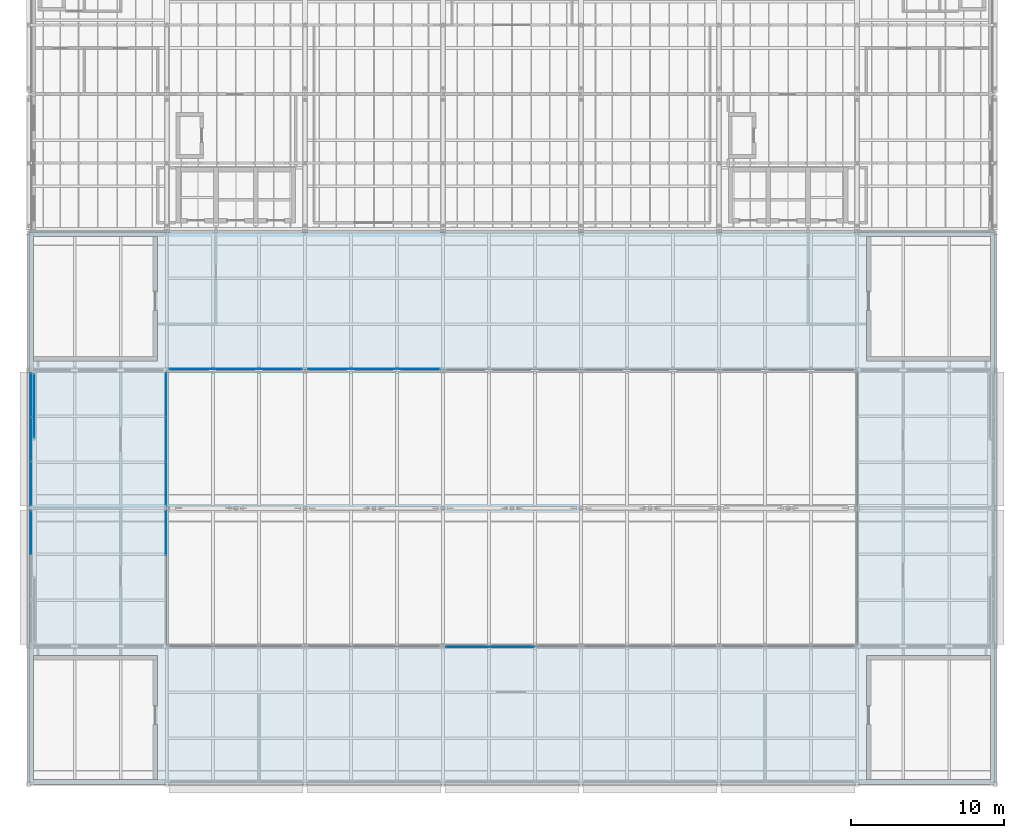
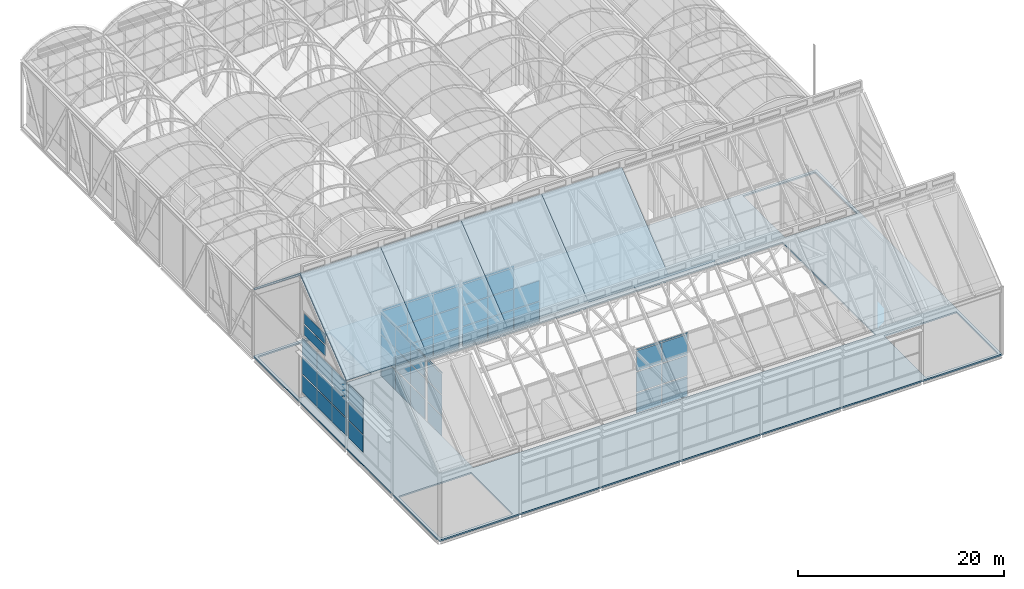
# One storey, part 118 of 144: 60 plates, 9 slabs, 8 elements without a shape of their own.
"""IFC4 building model written with IfcOpenShell, lengths in metres."""

from ifc_helpers import new_model, si_unit, direction, frame, origin, origin_2d, place, context, subcontext, project, spatial, polyline, rectangle, outline, extrude, material, layer, layer_set, type_object, element, aggregate, save


model = new_model("IFC4")

# Units and contexts
model_context = context("Model", 3, precision=1e-05, world=origin(), true_north=direction((0.0, 1.0)))
body_context = subcontext(model_context, "Body", "Model", "MODEL_VIEW")
ifc_project = project(units=[si_unit("LENGTHUNIT", "METRE"), si_unit("AREAUNIT", "SQUARE_METRE"), si_unit("VOLUMEUNIT", "CUBIC_METRE"), si_unit("PLANEANGLEUNIT", "RADIAN"), si_unit("MASSUNIT", "GRAM", prefix="KILO")], contexts=[model_context])

# Site, building, storey
site_placement = place(None, origin())
site = spatial("IfcSite", under=ifc_project, at=site_placement, CompositionType="ELEMENT")
building_placement = place(site_placement, origin())
building = spatial("IfcBuilding", under=site, at=building_placement, Name="Shorebreak Coast Museum", CompositionType="ELEMENT")
storey_placement = place(building_placement, frame((0.0, 0.0, 36.0)))
storey = spatial("IfcBuildingStorey", under=building, at=storey_placement, Name="L06", CompositionType="ELEMENT", Elevation=36.0)

# Curtain wall, plates
ifc_material_1 = material(Name="Aluminium", Category="aluminium")
ifc_layer_1 = layer(ifc_material_1, 0.1201171875)
ifc_layer_set_1 = layer_set([ifc_layer_1], Name="Aluminium")
curtain_wall_type_1 = type_object("IfcCurtainWallType", Name="Atrium fire screen", PredefinedType="NOTDEFINED", material=ifc_layer_set_1)
curtain_wall_1_placement = place(storey_placement, origin())
curtain_wall_1 = element("IfcCurtainWall", 1, at=curtain_wall_1_placement, inside=storey, type_object=curtain_wall_type_1, Name="Atrium screen L06 S 81", PredefinedType="NOTDEFINED")
ifc_material_2 = material(Name="Glass", Category="glass")
ifc_layer_2 = layer(ifc_material_2, 0.034912109375)
ifc_layer_set_2 = layer_set([ifc_layer_2], Name="Glass")
plate_type_1 = type_object("IfcPlateType", Name="Fire-resisting glass panel 35", PredefinedType="CURTAIN_PANEL", material=ifc_layer_set_2)
plate_1_placement = place(storey_placement, frame((82.61474609375, 62.93994140625, 0.1201171875), z_axis=(0.0, 0.0, 1.0), x_axis=(1.0, 0.0, 0.0)))
plate_1 = element("IfcPlate", 2, at=plate_1_placement, type_object=plate_type_1, Name="CW4 panel 1.1", PredefinedType="CURTAIN_PANEL", context=body_context, shape_type="SweptSolid", body=[
    extrude(rectangle(XDim=2.82275390625, YDim=0.034912109375, at=origin_2d()), origin(), (0.0, 0.0, 1.0), 2.320068359375),
])
plate_2_placement = place(storey_placement, frame((82.61474609375, 62.93994140625, 2.56005859375), z_axis=(0.0, 0.0, 1.0), x_axis=(1.0, 0.0, 0.0)))
plate_2 = element("IfcPlate", 3, at=plate_2_placement, type_object=plate_type_1, Name="CW4 panel 1.2", PredefinedType="CURTAIN_PANEL", context=body_context, shape_type="SweptSolid", body=[
    extrude(rectangle(XDim=2.82275390625, YDim=0.034912109375, at=origin_2d()), origin(), (0.0, 0.0, 1.0), 2.3798828125),
])
plate_3_placement = place(storey_placement, frame((82.61474609375, 62.93994140625, 5.06005859375), z_axis=(0.0, 0.0, 1.0), x_axis=(1.0, 0.0, 0.0)))
plate_3 = element("IfcPlate", 4, at=plate_3_placement, type_object=plate_type_1, Name="CW4 panel 1.3", PredefinedType="CURTAIN_PANEL", context=body_context, shape_type="SweptSolid", body=[
    extrude(rectangle(XDim=2.82275390625, YDim=0.034912109375, at=origin_2d()), origin(), (0.0, 0.0, 1.0), 2.3798828125),
])
plate_4_placement = place(storey_placement, frame((82.61474609375, 62.93994140625, 7.56005859375), z_axis=(0.0, 0.0, 1.0), x_axis=(1.0, 0.0, 0.0)))
plate_4 = element("IfcPlate", 5, at=plate_4_placement, type_object=plate_type_1, Name="CW4 panel 1.4", PredefinedType="CURTAIN_PANEL", context=body_context, shape_type="SweptSolid", body=[
    extrude(rectangle(XDim=2.82275390625, YDim=0.034912109375, at=origin_2d()), origin(), (0.0, 0.0, 1.0), 0.1201171875),
])
plate_5_placement = place(storey_placement, frame((85.5, 62.93994140625, 0.1201171875), z_axis=(0.0, 0.0, 1.0), x_axis=(1.0, 0.0, 0.0)))
plate_5 = element("IfcPlate", 6, at=plate_5_placement, type_object=plate_type_1, Name="CW4 panel 2.1", PredefinedType="CURTAIN_PANEL", context=body_context, shape_type="SweptSolid", body=[
    extrude(rectangle(XDim=2.84765625, YDim=0.034912109375, at=origin_2d()), origin(), (0.0, 0.0, 1.0), 2.320068359375),
])
plate_6_placement = place(storey_placement, frame((85.5, 62.93994140625, 2.56005859375), z_axis=(0.0, 0.0, 1.0), x_axis=(1.0, 0.0, 0.0)))
plate_6 = element("IfcPlate", 7, at=plate_6_placement, type_object=plate_type_1, Name="CW4 panel 2.2", PredefinedType="CURTAIN_PANEL", context=body_context, shape_type="SweptSolid", body=[
    extrude(rectangle(XDim=2.84765625, YDim=0.034912109375, at=origin_2d()), origin(), (0.0, 0.0, 1.0), 2.3798828125),
])
plate_7_placement = place(storey_placement, frame((85.5, 62.93994140625, 5.06005859375), z_axis=(0.0, 0.0, 1.0), x_axis=(1.0, 0.0, 0.0)))
plate_7 = element("IfcPlate", 8, at=plate_7_placement, type_object=plate_type_1, Name="CW4 panel 2.3", PredefinedType="CURTAIN_PANEL", context=body_context, shape_type="SweptSolid", body=[
    extrude(rectangle(XDim=2.84765625, YDim=0.034912109375, at=origin_2d()), origin(), (0.0, 0.0, 1.0), 2.3798828125),
])
plate_8_placement = place(storey_placement, frame((85.5, 62.93994140625, 7.56005859375), z_axis=(0.0, 0.0, 1.0), x_axis=(1.0, 0.0, 0.0)))
plate_8 = element("IfcPlate", 9, at=plate_8_placement, type_object=plate_type_1, Name="CW4 panel 2.4", PredefinedType="CURTAIN_PANEL", context=body_context, shape_type="SweptSolid", body=[
    extrude(rectangle(XDim=2.84765625, YDim=0.034912109375, at=origin_2d()), origin(), (0.0, 0.0, 1.0), 0.1201171875),
])
aggregate(curtain_wall_1, [plate_1, plate_2, plate_3, plate_4, plate_5, plate_6, plate_7, plate_8])

curtain_wall_2_placement = place(storey_placement, origin())
curtain_wall_2 = element("IfcCurtainWall", 10, at=curtain_wall_2_placement, inside=storey, type_object=curtain_wall_type_1, Name="Atrium screen L06 N 84", PredefinedType="NOTDEFINED")
plate_9_placement = place(storey_placement, frame((64.61474609375, 81.06005859375, 0.1201171875), z_axis=(0.0, 0.0, 1.0), x_axis=(1.0, 0.0, 0.0)))
plate_9 = element("IfcPlate", 11, at=plate_9_placement, type_object=plate_type_1, Name="CW4 panel 1.1", PredefinedType="CURTAIN_PANEL", context=body_context, shape_type="SweptSolid", body=[
    extrude(rectangle(XDim=2.82275390625, YDim=0.034912109375, at=origin_2d()), origin(), (0.0, 0.0, 1.0), 2.320068359375),
])
plate_10_placement = place(storey_placement, frame((64.61474609375, 81.06005859375, 2.56005859375), z_axis=(0.0, 0.0, 1.0), x_axis=(1.0, 0.0, 0.0)))
plate_10 = element("IfcPlate", 12, at=plate_10_placement, type_object=plate_type_1, Name="CW4 panel 1.2", PredefinedType="CURTAIN_PANEL", context=body_context, shape_type="SweptSolid", body=[
    extrude(rectangle(XDim=2.82275390625, YDim=0.034912109375, at=origin_2d()), origin(), (0.0, 0.0, 1.0), 2.3798828125),
])
plate_11_placement = place(storey_placement, frame((64.61474609375, 81.06005859375, 5.06005859375), z_axis=(0.0, 0.0, 1.0), x_axis=(1.0, 0.0, 0.0)))
plate_11 = element("IfcPlate", 13, at=plate_11_placement, type_object=plate_type_1, Name="CW4 panel 1.3", PredefinedType="CURTAIN_PANEL", context=body_context, shape_type="SweptSolid", body=[
    extrude(rectangle(XDim=2.82275390625, YDim=0.034912109375, at=origin_2d()), origin(), (0.0, 0.0, 1.0), 2.3798828125),
])
plate_12_placement = place(storey_placement, frame((64.61474609375, 81.06005859375, 7.56005859375), z_axis=(0.0, 0.0, 1.0), x_axis=(1.0, 0.0, 0.0)))
plate_12 = element("IfcPlate", 14, at=plate_12_placement, type_object=plate_type_1, Name="CW4 panel 1.4", PredefinedType="CURTAIN_PANEL", context=body_context, shape_type="SweptSolid", body=[
    extrude(rectangle(XDim=2.82275390625, YDim=0.034912109375, at=origin_2d()), origin(), (0.0, 0.0, 1.0), 0.1201171875),
])
plate_13_placement = place(storey_placement, frame((67.5, 81.06005859375, 0.1201171875), z_axis=(0.0, 0.0, 1.0), x_axis=(1.0, 0.0, 0.0)))
plate_13 = element("IfcPlate", 15, at=plate_13_placement, type_object=plate_type_1, Name="CW4 panel 2.1", PredefinedType="CURTAIN_PANEL", context=body_context, shape_type="SweptSolid", body=[
    extrude(rectangle(XDim=2.84765625, YDim=0.034912109375, at=origin_2d()), origin(), (0.0, 0.0, 1.0), 2.320068359375),
])
plate_14_placement = place(storey_placement, frame((67.5, 81.06005859375, 2.56005859375), z_axis=(0.0, 0.0, 1.0), x_axis=(1.0, 0.0, 0.0)))
plate_14 = element("IfcPlate", 16, at=plate_14_placement, type_object=plate_type_1, Name="CW4 panel 2.2", PredefinedType="CURTAIN_PANEL", context=body_context, shape_type="SweptSolid", body=[
    extrude(rectangle(XDim=2.84765625, YDim=0.034912109375, at=origin_2d()), origin(), (0.0, 0.0, 1.0), 2.3798828125),
])
plate_15_placement = place(storey_placement, frame((67.5, 81.06005859375, 5.06005859375), z_axis=(0.0, 0.0, 1.0), x_axis=(1.0, 0.0, 0.0)))
plate_15 = element("IfcPlate", 17, at=plate_15_placement, type_object=plate_type_1, Name="CW4 panel 2.3", PredefinedType="CURTAIN_PANEL", context=body_context, shape_type="SweptSolid", body=[
    extrude(rectangle(XDim=2.84765625, YDim=0.034912109375, at=origin_2d()), origin(), (0.0, 0.0, 1.0), 2.3798828125),
])
plate_16_placement = place(storey_placement, frame((67.5, 81.06005859375, 7.56005859375), z_axis=(0.0, 0.0, 1.0), x_axis=(1.0, 0.0, 0.0)))
plate_16 = element("IfcPlate", 18, at=plate_16_placement, type_object=plate_type_1, Name="CW4 panel 2.4", PredefinedType="CURTAIN_PANEL", context=body_context, shape_type="SweptSolid", body=[
    extrude(rectangle(XDim=2.84765625, YDim=0.034912109375, at=origin_2d()), origin(), (0.0, 0.0, 1.0), 0.1201171875),
])
plate_17_placement = place(storey_placement, frame((70.38525390625, 81.06005859375, 0.1201171875), z_axis=(0.0, 0.0, 1.0), x_axis=(1.0, 0.0, 0.0)))
plate_17 = element("IfcPlate", 19, at=plate_17_placement, type_object=plate_type_1, Name="CW4 panel 3.1", PredefinedType="CURTAIN_PANEL", context=body_context, shape_type="SweptSolid", body=[
    extrude(rectangle(XDim=2.82275390625, YDim=0.034912109375, at=origin_2d()), origin(), (0.0, 0.0, 1.0), 2.320068359375),
])
plate_18_placement = place(storey_placement, frame((70.38525390625, 81.06005859375, 2.56005859375), z_axis=(0.0, 0.0, 1.0), x_axis=(1.0, 0.0, 0.0)))
plate_18 = element("IfcPlate", 20, at=plate_18_placement, type_object=plate_type_1, Name="CW4 panel 3.2", PredefinedType="CURTAIN_PANEL", context=body_context, shape_type="SweptSolid", body=[
    extrude(rectangle(XDim=2.82275390625, YDim=0.034912109375, at=origin_2d()), origin(), (0.0, 0.0, 1.0), 2.3798828125),
])
plate_19_placement = place(storey_placement, frame((70.38525390625, 81.06005859375, 5.06005859375), z_axis=(0.0, 0.0, 1.0), x_axis=(1.0, 0.0, 0.0)))
plate_19 = element("IfcPlate", 21, at=plate_19_placement, type_object=plate_type_1, Name="CW4 panel 3.3", PredefinedType="CURTAIN_PANEL", context=body_context, shape_type="SweptSolid", body=[
    extrude(rectangle(XDim=2.82275390625, YDim=0.034912109375, at=origin_2d()), origin(), (0.0, 0.0, 1.0), 2.3798828125),
])
plate_20_placement = place(storey_placement, frame((70.38525390625, 81.06005859375, 7.56005859375), z_axis=(0.0, 0.0, 1.0), x_axis=(1.0, 0.0, 0.0)))
plate_20 = element("IfcPlate", 22, at=plate_20_placement, type_object=plate_type_1, Name="CW4 panel 3.4", PredefinedType="CURTAIN_PANEL", context=body_context, shape_type="SweptSolid", body=[
    extrude(rectangle(XDim=2.82275390625, YDim=0.034912109375, at=origin_2d()), origin(), (0.0, 0.0, 1.0), 0.1201171875),
])
aggregate(curtain_wall_2, [plate_9, plate_10, plate_11, plate_12, plate_13, plate_14, plate_15, plate_16, plate_17, plate_18, plate_19, plate_20])

curtain_wall_3_placement = place(storey_placement, origin())
curtain_wall_3 = element("IfcCurtainWall", 23, at=curtain_wall_3_placement, inside=storey, type_object=curtain_wall_type_1, Name="Atrium screen L06 N 85", PredefinedType="NOTDEFINED")
plate_21_placement = place(storey_placement, frame((73.61474609375, 81.06005859375, 0.1201171875), z_axis=(0.0, 0.0, 1.0), x_axis=(1.0, 0.0, 0.0)))
plate_21 = element("IfcPlate", 24, at=plate_21_placement, type_object=plate_type_1, Name="CW5 panel 1.1", PredefinedType="CURTAIN_PANEL", context=body_context, shape_type="SweptSolid", body=[
    extrude(rectangle(XDim=2.82275390625, YDim=0.034912109375, at=origin_2d()), origin(), (0.0, 0.0, 1.0), 2.320068359375),
])
plate_22_placement = place(storey_placement, frame((73.61474609375, 81.06005859375, 2.56005859375), z_axis=(0.0, 0.0, 1.0), x_axis=(1.0, 0.0, 0.0)))
plate_22 = element("IfcPlate", 25, at=plate_22_placement, type_object=plate_type_1, Name="CW5 panel 1.2", PredefinedType="CURTAIN_PANEL", context=body_context, shape_type="SweptSolid", body=[
    extrude(rectangle(XDim=2.82275390625, YDim=0.034912109375, at=origin_2d()), origin(), (0.0, 0.0, 1.0), 2.3798828125),
])
plate_23_placement = place(storey_placement, frame((73.61474609375, 81.06005859375, 5.06005859375), z_axis=(0.0, 0.0, 1.0), x_axis=(1.0, 0.0, 0.0)))
plate_23 = element("IfcPlate", 26, at=plate_23_placement, type_object=plate_type_1, Name="CW5 panel 1.3", PredefinedType="CURTAIN_PANEL", context=body_context, shape_type="SweptSolid", body=[
    extrude(rectangle(XDim=2.82275390625, YDim=0.034912109375, at=origin_2d()), origin(), (0.0, 0.0, 1.0), 2.3798828125),
])
plate_24_placement = place(storey_placement, frame((73.61474609375, 81.06005859375, 7.56005859375), z_axis=(0.0, 0.0, 1.0), x_axis=(1.0, 0.0, 0.0)))
plate_24 = element("IfcPlate", 27, at=plate_24_placement, type_object=plate_type_1, Name="CW5 panel 1.4", PredefinedType="CURTAIN_PANEL", context=body_context, shape_type="SweptSolid", body=[
    extrude(rectangle(XDim=2.82275390625, YDim=0.034912109375, at=origin_2d()), origin(), (0.0, 0.0, 1.0), 0.1201171875),
])
plate_25_placement = place(storey_placement, frame((76.5, 81.06005859375, 0.1201171875), z_axis=(0.0, 0.0, 1.0), x_axis=(1.0, 0.0, 0.0)))
plate_25 = element("IfcPlate", 28, at=plate_25_placement, type_object=plate_type_1, Name="CW5 panel 2.1", PredefinedType="CURTAIN_PANEL", context=body_context, shape_type="SweptSolid", body=[
    extrude(rectangle(XDim=2.84765625, YDim=0.034912109375, at=origin_2d()), origin(), (0.0, 0.0, 1.0), 2.320068359375),
])
plate_26_placement = place(storey_placement, frame((76.5, 81.06005859375, 2.56005859375), z_axis=(0.0, 0.0, 1.0), x_axis=(1.0, 0.0, 0.0)))
plate_26 = element("IfcPlate", 29, at=plate_26_placement, type_object=plate_type_1, Name="CW5 panel 2.2", PredefinedType="CURTAIN_PANEL", context=body_context, shape_type="SweptSolid", body=[
    extrude(rectangle(XDim=2.84765625, YDim=0.034912109375, at=origin_2d()), origin(), (0.0, 0.0, 1.0), 2.3798828125),
])
plate_27_placement = place(storey_placement, frame((76.5, 81.06005859375, 5.06005859375), z_axis=(0.0, 0.0, 1.0), x_axis=(1.0, 0.0, 0.0)))
plate_27 = element("IfcPlate", 30, at=plate_27_placement, type_object=plate_type_1, Name="CW5 panel 2.3", PredefinedType="CURTAIN_PANEL", context=body_context, shape_type="SweptSolid", body=[
    extrude(rectangle(XDim=2.84765625, YDim=0.034912109375, at=origin_2d()), origin(), (0.0, 0.0, 1.0), 2.3798828125),
])
plate_28_placement = place(storey_placement, frame((76.5, 81.06005859375, 7.56005859375), z_axis=(0.0, 0.0, 1.0), x_axis=(1.0, 0.0, 0.0)))
plate_28 = element("IfcPlate", 31, at=plate_28_placement, type_object=plate_type_1, Name="CW5 panel 2.4", PredefinedType="CURTAIN_PANEL", context=body_context, shape_type="SweptSolid", body=[
    extrude(rectangle(XDim=2.84765625, YDim=0.034912109375, at=origin_2d()), origin(), (0.0, 0.0, 1.0), 0.1201171875),
])
plate_29_placement = place(storey_placement, frame((79.38525390625, 81.06005859375, 0.1201171875), z_axis=(0.0, 0.0, 1.0), x_axis=(1.0, 0.0, 0.0)))
plate_29 = element("IfcPlate", 32, at=plate_29_placement, type_object=plate_type_1, Name="CW5 panel 3.1", PredefinedType="CURTAIN_PANEL", context=body_context, shape_type="SweptSolid", body=[
    extrude(rectangle(XDim=2.82275390625, YDim=0.034912109375, at=origin_2d()), origin(), (0.0, 0.0, 1.0), 2.320068359375),
])
plate_30_placement = place(storey_placement, frame((79.38525390625, 81.06005859375, 2.56005859375), z_axis=(0.0, 0.0, 1.0), x_axis=(1.0, 0.0, 0.0)))
plate_30 = element("IfcPlate", 33, at=plate_30_placement, type_object=plate_type_1, Name="CW5 panel 3.2", PredefinedType="CURTAIN_PANEL", context=body_context, shape_type="SweptSolid", body=[
    extrude(rectangle(XDim=2.82275390625, YDim=0.034912109375, at=origin_2d()), origin(), (0.0, 0.0, 1.0), 2.3798828125),
])
aggregate(curtain_wall_3, [plate_21, plate_22, plate_23, plate_24, plate_25, plate_26, plate_27, plate_28, plate_29, plate_30])

curtain_wall_4_placement = place(storey_placement, origin())
curtain_wall_4 = element("IfcCurtainWall", 34, at=curtain_wall_4_placement, inside=storey, type_object=curtain_wall_type_1, Name="Atrium screen L06 W 89", PredefinedType="NOTDEFINED")
plate_31_placement = place(storey_placement, frame((62.93994140625, 70.37744140625, 0.1201171875), z_axis=(0.0, 0.0, 1.0), x_axis=(0.0, 1.0, 0.0)))
plate_31 = element("IfcPlate", 35, at=plate_31_placement, type_object=plate_type_1, Name="CW6 panel 3.1", PredefinedType="CURTAIN_PANEL", context=body_context, shape_type="SweptSolid", body=[
    extrude(rectangle(XDim=2.818115234375, YDim=0.034912109375, at=origin_2d()), origin(), (0.0, 0.0, 1.0), 2.320068359375),
])
plate_32_placement = place(storey_placement, frame((62.93994140625, 70.37744140625, 2.56005859375), z_axis=(0.0, 0.0, 1.0), x_axis=(0.0, 1.0, 0.0)))
plate_32 = element("IfcPlate", 36, at=plate_32_placement, type_object=plate_type_1, Name="CW6 panel 3.2", PredefinedType="CURTAIN_PANEL", context=body_context, shape_type="SweptSolid", body=[
    extrude(rectangle(XDim=2.818115234375, YDim=0.034912109375, at=origin_2d()), origin(), (0.0, 0.0, 1.0), 2.3798828125),
])
plate_33_placement = place(storey_placement, frame((62.93994140625, 70.37744140625, 5.06005859375), z_axis=(0.0, 0.0, 1.0), x_axis=(0.0, 1.0, 0.0)))
plate_33 = element("IfcPlate", 37, at=plate_33_placement, type_object=plate_type_1, Name="CW6 panel 3.3", PredefinedType="CURTAIN_PANEL", context=body_context, shape_type="SweptSolid", body=[
    extrude(rectangle(XDim=2.818115234375, YDim=0.034912109375, at=origin_2d()), origin(), (0.0, 0.0, 1.0), 2.3798828125),
])
plate_34_placement = place(storey_placement, frame((62.93994140625, 70.37744140625, 7.56005859375), z_axis=(0.0, 0.0, 1.0), x_axis=(0.0, 1.0, 0.0)))
plate_34 = element("IfcPlate", 38, at=plate_34_placement, type_object=plate_type_1, Name="CW6 panel 3.4", PredefinedType="CURTAIN_PANEL", context=body_context, shape_type="SweptSolid", body=[
    extrude(rectangle(XDim=2.818115234375, YDim=0.034912109375, at=origin_2d()), origin(), (0.0, 0.0, 1.0), 0.1201171875),
])
aggregate(curtain_wall_4, [plate_31, plate_32, plate_33, plate_34])

curtain_wall_5_placement = place(storey_placement, origin())
curtain_wall_5 = element("IfcCurtainWall", 39, at=curtain_wall_5_placement, inside=storey, type_object=curtain_wall_type_1, Name="Atrium screen L06 W 90", PredefinedType="NOTDEFINED")
plate_35_placement = place(storey_placement, frame((62.93994140625, 73.62255859375, 0.1201171875), z_axis=(0.0, 0.0, 1.0), x_axis=(0.0, 1.0, 0.0)))
plate_35 = element("IfcPlate", 40, at=plate_35_placement, type_object=plate_type_1, Name="CW4 panel 1.1", PredefinedType="CURTAIN_PANEL", context=body_context, shape_type="SweptSolid", body=[
    extrude(rectangle(XDim=2.818115234375, YDim=0.034912109375, at=origin_2d()), origin(), (0.0, 0.0, 1.0), 2.320068359375),
])
plate_36_placement = place(storey_placement, frame((62.93994140625, 73.62255859375, 2.56005859375), z_axis=(0.0, 0.0, 1.0), x_axis=(0.0, 1.0, 0.0)))
plate_36 = element("IfcPlate", 41, at=plate_36_placement, type_object=plate_type_1, Name="CW4 panel 1.2", PredefinedType="CURTAIN_PANEL", context=body_context, shape_type="SweptSolid", body=[
    extrude(rectangle(XDim=2.818115234375, YDim=0.034912109375, at=origin_2d()), origin(), (0.0, 0.0, 1.0), 2.3798828125),
])
plate_37_placement = place(storey_placement, frame((62.93994140625, 73.62255859375, 5.06005859375), z_axis=(0.0, 0.0, 1.0), x_axis=(0.0, 1.0, 0.0)))
plate_37 = element("IfcPlate", 42, at=plate_37_placement, type_object=plate_type_1, Name="CW4 panel 1.3", PredefinedType="CURTAIN_PANEL", context=body_context, shape_type="SweptSolid", body=[
    extrude(rectangle(XDim=2.818115234375, YDim=0.034912109375, at=origin_2d()), origin(), (0.0, 0.0, 1.0), 2.3798828125),
])
plate_38_placement = place(storey_placement, frame((62.93994140625, 73.62255859375, 7.56005859375), z_axis=(0.0, 0.0, 1.0), x_axis=(0.0, 1.0, 0.0)))
plate_38 = element("IfcPlate", 43, at=plate_38_placement, type_object=plate_type_1, Name="CW4 panel 1.4", PredefinedType="CURTAIN_PANEL", context=body_context, shape_type="SweptSolid", body=[
    extrude(rectangle(XDim=2.818115234375, YDim=0.034912109375, at=origin_2d()), origin(), (0.0, 0.0, 1.0), 0.1201171875),
])
plate_39_placement = place(storey_placement, frame((62.93994140625, 76.503173828125, 0.1201171875), z_axis=(0.0, 0.0, 1.0), x_axis=(0.0, 1.0, 0.0)))
plate_39 = element("IfcPlate", 44, at=plate_39_placement, type_object=plate_type_1, Name="CW4 panel 2.1", PredefinedType="CURTAIN_PANEL", context=body_context, shape_type="SweptSolid", body=[
    extrude(rectangle(XDim=2.843017578125, YDim=0.034912109375, at=origin_2d()), origin(), (0.0, 0.0, 1.0), 2.320068359375),
])
plate_40_placement = place(storey_placement, frame((62.93994140625, 76.503173828125, 2.56005859375), z_axis=(0.0, 0.0, 1.0), x_axis=(0.0, 1.0, 0.0)))
plate_40 = element("IfcPlate", 45, at=plate_40_placement, type_object=plate_type_1, Name="CW4 panel 2.2", PredefinedType="CURTAIN_PANEL", context=body_context, shape_type="SweptSolid", body=[
    extrude(rectangle(XDim=2.843017578125, YDim=0.034912109375, at=origin_2d()), origin(), (0.0, 0.0, 1.0), 2.3798828125),
])
plate_41_placement = place(storey_placement, frame((62.93994140625, 76.503173828125, 5.06005859375), z_axis=(0.0, 0.0, 1.0), x_axis=(0.0, 1.0, 0.0)))
plate_41 = element("IfcPlate", 46, at=plate_41_placement, type_object=plate_type_1, Name="CW4 panel 2.3", PredefinedType="CURTAIN_PANEL", context=body_context, shape_type="SweptSolid", body=[
    extrude(rectangle(XDim=2.843017578125, YDim=0.034912109375, at=origin_2d()), origin(), (0.0, 0.0, 1.0), 2.3798828125),
])
plate_42_placement = place(storey_placement, frame((62.93994140625, 76.503173828125, 7.56005859375), z_axis=(0.0, 0.0, 1.0), x_axis=(0.0, 1.0, 0.0)))
plate_42 = element("IfcPlate", 47, at=plate_42_placement, type_object=plate_type_1, Name="CW4 panel 2.4", PredefinedType="CURTAIN_PANEL", context=body_context, shape_type="SweptSolid", body=[
    extrude(rectangle(XDim=2.843017578125, YDim=0.034912109375, at=origin_2d()), origin(), (0.0, 0.0, 1.0), 0.1201171875),
])
plate_43_placement = place(storey_placement, frame((62.93994140625, 79.3837890625, 0.1201171875), z_axis=(0.0, 0.0, 1.0), x_axis=(0.0, 1.0, 0.0)))
plate_43 = element("IfcPlate", 48, at=plate_43_placement, type_object=plate_type_1, Name="CW4 panel 3.1", PredefinedType="CURTAIN_PANEL", context=body_context, shape_type="SweptSolid", body=[
    extrude(rectangle(XDim=2.818115234375, YDim=0.034912109375, at=origin_2d()), origin(), (0.0, 0.0, 1.0), 2.320068359375),
])
plate_44_placement = place(storey_placement, frame((62.93994140625, 79.3837890625, 2.56005859375), z_axis=(0.0, 0.0, 1.0), x_axis=(0.0, 1.0, 0.0)))
plate_44 = element("IfcPlate", 49, at=plate_44_placement, type_object=plate_type_1, Name="CW4 panel 3.2", PredefinedType="CURTAIN_PANEL", context=body_context, shape_type="SweptSolid", body=[
    extrude(rectangle(XDim=2.818115234375, YDim=0.034912109375, at=origin_2d()), origin(), (0.0, 0.0, 1.0), 2.3798828125),
])
plate_45_placement = place(storey_placement, frame((62.93994140625, 79.3837890625, 5.06005859375), z_axis=(0.0, 0.0, 1.0), x_axis=(0.0, 1.0, 0.0)))
plate_45 = element("IfcPlate", 50, at=plate_45_placement, type_object=plate_type_1, Name="CW4 panel 3.3", PredefinedType="CURTAIN_PANEL", context=body_context, shape_type="SweptSolid", body=[
    extrude(rectangle(XDim=2.818115234375, YDim=0.034912109375, at=origin_2d()), origin(), (0.0, 0.0, 1.0), 2.3798828125),
])
plate_46_placement = place(storey_placement, frame((62.93994140625, 79.3837890625, 7.56005859375), z_axis=(0.0, 0.0, 1.0), x_axis=(0.0, 1.0, 0.0)))
plate_46 = element("IfcPlate", 51, at=plate_46_placement, type_object=plate_type_1, Name="CW4 panel 3.4", PredefinedType="CURTAIN_PANEL", context=body_context, shape_type="SweptSolid", body=[
    extrude(rectangle(XDim=2.818115234375, YDim=0.034912109375, at=origin_2d()), origin(), (0.0, 0.0, 1.0), 0.1201171875),
])
aggregate(curtain_wall_5, [plate_35, plate_36, plate_37, plate_38, plate_39, plate_40, plate_41, plate_42, plate_43, plate_44, plate_45, plate_46])

# Slab
ifc_material_3 = material(Name="Concrete N40 (40 MPa)", Category="concrete")
ifc_layer_3 = layer(ifc_material_3, 0.175048828125)
ifc_layer_set_3 = layer_set([ifc_layer_3], Name="Concrete N40 (40 MPa)")
slab_type_1 = type_object("IfcSlabType", Name="Floor slab 175 concrete N40", PredefinedType="FLOOR", material=ifc_layer_set_3)
slab_placement = place(storey_placement, frame((0.0, 0.0, -0.175048828125)))
element("IfcSlab", 52, at=slab_placement, inside=storey, type_object=slab_type_1, Name="Floor slab L06 crossing", PredefinedType="FLOOR", context=body_context, shape_type="SweptSolid", body=[
    extrude(outline(polyline([(54.0, 54.0), (117.0, 54.0), (117.0, 90.0), (54.0, 90.0), (54.0, 54.0)]), holes=[polyline([(108.0, 81.0), (108.0, 63.0), (63.0, 63.0), (63.0, 81.0), (108.0, 81.0)]), polyline([(62.39990234375, 54.300048828125), (54.300048828125, 54.300048828125), (54.300048828125, 62.39990234375), (62.39990234375, 62.39990234375), (62.39990234375, 54.300048828125)]), polyline([(108.60009765625, 54.300048828125), (108.60009765625, 62.39990234375), (116.699951171875, 62.39990234375), (116.699951171875, 54.300048828125), (108.60009765625, 54.300048828125)]), polyline([(54.300048828125, 89.699951171875), (62.39990234375, 89.699951171875), (62.39990234375, 81.60009765625), (54.300048828125, 81.60009765625), (54.300048828125, 89.699951171875)]), polyline([(116.699951171875, 89.699951171875), (116.699951171875, 81.60009765625), (108.60009765625, 81.60009765625), (108.60009765625, 89.699951171875), (116.699951171875, 89.699951171875)])]), origin(), (0.0, 0.0, 1.0), 0.175048828125),
])

# Curtain wall, plates
ifc_material_4 = material(Name="Aluminium", Category="aluminium")
ifc_layer_4 = layer(ifc_material_4, 0.175048828125)
ifc_layer_set_4 = layer_set([ifc_layer_4], Name="Aluminium")
curtain_wall_type_2 = type_object("IfcCurtainWallType", Name="Gable curtain wall", PredefinedType="NOTDEFINED", material=ifc_layer_set_4)
curtain_wall_6_placement = place(storey_placement, origin())
curtain_wall_6 = element("IfcCurtainWall", 53, at=curtain_wall_6_placement, inside=storey, type_object=curtain_wall_type_2, Name="Gable glazing FOLD-X-54-2", PredefinedType="NOTDEFINED")
ifc_material_5 = material(Name="Glass", Category="glass")
ifc_layer_5 = layer(ifc_material_5, 0.0400390625)
ifc_layer_set_5 = layer_set([ifc_layer_5], Name="Glass")
plate_type_2 = type_object("IfcPlateType", Name="Gable glass panel 40", PredefinedType="CURTAIN_PANEL", material=ifc_layer_set_5)
plate_47_placement = place(storey_placement, frame((54.33056640625, 78.651611328125, 7.97509765625), z_axis=(0.0, 0.0, 1.0), x_axis=(0.0, 1.0, 0.0)))
plate_47 = element("IfcPlate", 54, at=plate_47_placement, type_object=plate_type_2, Name="CW9 panel 1.1", PredefinedType="CURTAIN_PANEL", context=body_context, shape_type="SweptSolid", body=[
    extrude(rectangle(XDim=4.18310546875, YDim=0.0400390625, at=origin_2d()), origin(), (0.0, 0.0, 1.0), 1.1884765625),
])
plate_48_placement = place(storey_placement, frame((54.33056640625, 78.651611328125, 9.338623046875), z_axis=(0.0, 0.0, 1.0), x_axis=(0.0, 1.0, 0.0)))
plate_48 = element("IfcPlate", 55, at=plate_48_placement, type_object=plate_type_2, Name="CW9 panel 1.2", PredefinedType="CURTAIN_PANEL", context=body_context, shape_type="SweptSolid", body=[
    extrude(rectangle(XDim=4.18310546875, YDim=0.0400390625, at=origin_2d()), origin(), (0.0, 0.0, 1.0), 1.1884765625),
])
aggregate(curtain_wall_6, [plate_47, plate_48])

# Slabs
ifc_material_6 = material(Name="Concrete N50 (50 MPa)", Category="concrete")
ifc_layer_6 = layer(ifc_material_6, 0.199951171875)
ifc_layer_set_6 = layer_set([ifc_layer_6], Name="Concrete N50 (50 MPa)")
slab_type_2 = type_object("IfcSlabType", Name="Roof slab folded plate 200 concrete N50", PredefinedType="ROOF", material=ifc_layer_set_6)
for number, where, z_axis, x_axis, name in (
    (56, (81.0, 63.0, 15.199951171875), (0.0, 0.624692464322, 0.780870876022), (1.0, 0.0, 0.0), "Folded roof slab FOLD-X-P11"),
    (57, (54.0, 72.0, 8.0), (0.0, -0.624692464322, 0.780870876022), (1.0, 0.0, 0.0), "Folded roof slab FOLD-X-P15"),
    (58, (63.0, 72.0, 8.0), (0.0, -0.624692464322, 0.780870876022), (1.0, 0.0, 0.0), "Folded roof slab FOLD-X-P16"),
    (59, (72.0, 72.0, 8.0), (0.0, -0.624692464322, 0.780870876022), (1.0, 0.0, 0.0), "Folded roof slab FOLD-X-P17"),
    (60, (81.0, 72.0, 8.0), (0.0, -0.624692464322, 0.780870876022), (1.0, 0.0, 0.0), "Folded roof slab FOLD-X-P18"),
    (61, (54.0, 81.0, 15.199951171875), (0.0, 0.624692464322, 0.780870876022), (1.0, 0.0, 0.0), "Folded roof slab FOLD-X-P22"),
    (62, (63.0, 81.0, 15.199951171875), (0.0, 0.624692464322, 0.780870876022), (1.0, 0.0, 0.0), "Folded roof slab FOLD-X-P23"),
    (63, (72.0, 81.0, 15.199951171875), (0.0, 0.624692464322, 0.780870876022), (1.0, 0.0, 0.0), "Folded roof slab FOLD-X-P24"),
):
    element("IfcSlab", number, at=place(storey_placement, frame(where, z_axis=z_axis, x_axis=x_axis)), inside=storey, type_object=slab_type_2, Name=name, PredefinedType="ROOF", context=body_context, shape_type="SweptSolid", body=[
        extrude(outline(polyline([(0.0, 0.0), (9.0, 0.0), (9.0, 11.525593124754327), (0.0, 11.525593124754327), (0.0, 0.0)])), origin(), (0.0, 0.0, -1.0), 0.199951171875),
    ])

# Curtain wall, plates
ifc_material_7 = material(Name="Aluminium", Category="aluminium")
ifc_layer_7 = layer(ifc_material_7, 0.14990234375)
ifc_layer_set_7 = layer_set([ifc_layer_7], Name="Aluminium")
curtain_wall_type_3 = type_object("IfcCurtainWallType", Name="Storefront curtain wall", PredefinedType="NOTDEFINED", material=ifc_layer_set_7)
curtain_wall_7_placement = place(storey_placement, origin())
curtain_wall_7 = element("IfcCurtainWall", 64, at=curtain_wall_7_placement, inside=storey, type_object=curtain_wall_type_3, Name="Atrium Hall glazing L06 W 27", PredefinedType="NOTDEFINED")
ifc_material_8 = material(Name="Glass", Category="glass")
ifc_layer_8 = layer(ifc_material_8, 0.031982421875)
ifc_layer_set_8 = layer_set([ifc_layer_8], Name="Glass")
plate_type_3 = type_object("IfcPlateType", Name="Storefront glass panel 32", PredefinedType="CURTAIN_PANEL", material=ifc_layer_set_8)
plate_49_placement = place(storey_placement, frame((54.14990234375, 70.406494140625, 1.25), z_axis=(0.0, 0.0, 1.0), x_axis=(0.0, 1.0, 0.0)))
plate_49 = element("IfcPlate", 65, at=plate_49_placement, type_object=plate_type_3, Name="CW5 panel 3.1", PredefinedType="CURTAIN_PANEL", context=body_context, shape_type="SweptSolid", body=[
    extrude(rectangle(XDim=2.8369140625, YDim=0.031982421875, at=origin_2d()), origin(), (0.0, 0.0, 1.0), 2.00830078125),
])
plate_50_placement = place(storey_placement, frame((54.14990234375, 70.406494140625, 3.408203125), z_axis=(0.0, 0.0, 1.0), x_axis=(0.0, 1.0, 0.0)))
plate_50 = element("IfcPlate", 66, at=plate_50_placement, type_object=plate_type_3, Name="CW5 panel 3.2", PredefinedType="CURTAIN_PANEL", context=body_context, shape_type="SweptSolid", body=[
    extrude(rectangle(XDim=2.8369140625, YDim=0.031982421875, at=origin_2d()), origin(), (0.0, 0.0, 1.0), 2.08349609375),
])
plate_51_placement = place(storey_placement, frame((54.14990234375, 70.406494140625, 5.6416015625), z_axis=(0.0, 0.0, 1.0), x_axis=(0.0, 1.0, 0.0)))
plate_51 = element("IfcPlate", 67, at=plate_51_placement, type_object=plate_type_3, Name="CW5 panel 3.3", PredefinedType="CURTAIN_PANEL", context=body_context, shape_type="SweptSolid", body=[
    extrude(rectangle(XDim=2.8369140625, YDim=0.031982421875, at=origin_2d()), origin(), (0.0, 0.0, 1.0), 2.00830078125),
])
aggregate(curtain_wall_7, [plate_49, plate_50, plate_51])

curtain_wall_8_placement = place(storey_placement, origin())
curtain_wall_8 = element("IfcCurtainWall", 68, at=curtain_wall_8_placement, inside=storey, type_object=curtain_wall_type_3, Name="Atrium Hall glazing L06 W 28", PredefinedType="NOTDEFINED")
plate_52_placement = place(storey_placement, frame((54.14990234375, 73.593505859375, 1.25), z_axis=(0.0, 0.0, 1.0), x_axis=(0.0, 1.0, 0.0)))
plate_52 = element("IfcPlate", 69, at=plate_52_placement, type_object=plate_type_3, Name="CW5 panel 1.1", PredefinedType="CURTAIN_PANEL", context=body_context, shape_type="SweptSolid", body=[
    extrude(rectangle(XDim=2.8369140625, YDim=0.031982421875, at=origin_2d()), origin(), (0.0, 0.0, 1.0), 2.00830078125),
])
plate_53_placement = place(storey_placement, frame((54.14990234375, 73.593505859375, 3.408203125), z_axis=(0.0, 0.0, 1.0), x_axis=(0.0, 1.0, 0.0)))
plate_53 = element("IfcPlate", 70, at=plate_53_placement, type_object=plate_type_3, Name="CW5 panel 1.2", PredefinedType="CURTAIN_PANEL", context=body_context, shape_type="SweptSolid", body=[
    extrude(rectangle(XDim=2.8369140625, YDim=0.031982421875, at=origin_2d()), origin(), (0.0, 0.0, 1.0), 2.08349609375),
])
plate_54_placement = place(storey_placement, frame((54.14990234375, 73.593505859375, 5.6416015625), z_axis=(0.0, 0.0, 1.0), x_axis=(0.0, 1.0, 0.0)))
plate_54 = element("IfcPlate", 71, at=plate_54_placement, type_object=plate_type_3, Name="CW5 panel 1.3", PredefinedType="CURTAIN_PANEL", context=body_context, shape_type="SweptSolid", body=[
    extrude(rectangle(XDim=2.8369140625, YDim=0.031982421875, at=origin_2d()), origin(), (0.0, 0.0, 1.0), 2.00830078125),
])
plate_55_placement = place(storey_placement, frame((54.14990234375, 76.492919921875, 1.25), z_axis=(0.0, 0.0, 1.0), x_axis=(0.0, 1.0, 0.0)))
plate_55 = element("IfcPlate", 72, at=plate_55_placement, type_object=plate_type_3, Name="CW5 panel 2.1", PredefinedType="CURTAIN_PANEL", context=body_context, shape_type="SweptSolid", body=[
    extrude(rectangle(XDim=2.862060546875, YDim=0.031982421875, at=origin_2d()), origin(), (0.0, 0.0, 1.0), 2.00830078125),
])
plate_56_placement = place(storey_placement, frame((54.14990234375, 76.492919921875, 3.408203125), z_axis=(0.0, 0.0, 1.0), x_axis=(0.0, 1.0, 0.0)))
plate_56 = element("IfcPlate", 73, at=plate_56_placement, type_object=plate_type_3, Name="CW5 panel 2.2", PredefinedType="CURTAIN_PANEL", context=body_context, shape_type="SweptSolid", body=[
    extrude(rectangle(XDim=2.862060546875, YDim=0.031982421875, at=origin_2d()), origin(), (0.0, 0.0, 1.0), 2.08349609375),
])
plate_57_placement = place(storey_placement, frame((54.14990234375, 76.492919921875, 5.6416015625), z_axis=(0.0, 0.0, 1.0), x_axis=(0.0, 1.0, 0.0)))
plate_57 = element("IfcPlate", 74, at=plate_57_placement, type_object=plate_type_3, Name="CW5 panel 2.3", PredefinedType="CURTAIN_PANEL", context=body_context, shape_type="SweptSolid", body=[
    extrude(rectangle(XDim=2.862060546875, YDim=0.031982421875, at=origin_2d()), origin(), (0.0, 0.0, 1.0), 2.00830078125),
])
plate_58_placement = place(storey_placement, frame((54.14990234375, 79.392578125, 1.25), z_axis=(0.0, 0.0, 1.0), x_axis=(0.0, 1.0, 0.0)))
plate_58 = element("IfcPlate", 75, at=plate_58_placement, type_object=plate_type_3, Name="CW5 panel 3.1", PredefinedType="CURTAIN_PANEL", context=body_context, shape_type="SweptSolid", body=[
    extrude(rectangle(XDim=2.8369140625, YDim=0.031982421875, at=origin_2d()), origin(), (0.0, 0.0, 1.0), 2.00830078125),
])
plate_59_placement = place(storey_placement, frame((54.14990234375, 79.392578125, 3.408203125), z_axis=(0.0, 0.0, 1.0), x_axis=(0.0, 1.0, 0.0)))
plate_59 = element("IfcPlate", 76, at=plate_59_placement, type_object=plate_type_3, Name="CW5 panel 3.2", PredefinedType="CURTAIN_PANEL", context=body_context, shape_type="SweptSolid", body=[
    extrude(rectangle(XDim=2.8369140625, YDim=0.031982421875, at=origin_2d()), origin(), (0.0, 0.0, 1.0), 2.08349609375),
])
plate_60_placement = place(storey_placement, frame((54.14990234375, 79.392578125, 5.6416015625), z_axis=(0.0, 0.0, 1.0), x_axis=(0.0, 1.0, 0.0)))
plate_60 = element("IfcPlate", 77, at=plate_60_placement, type_object=plate_type_3, Name="CW5 panel 3.3", PredefinedType="CURTAIN_PANEL", context=body_context, shape_type="SweptSolid", body=[
    extrude(rectangle(XDim=2.8369140625, YDim=0.031982421875, at=origin_2d()), origin(), (0.0, 0.0, 1.0), 2.00830078125),
])
aggregate(curtain_wall_8, [plate_52, plate_53, plate_54, plate_55, plate_56, plate_57, plate_58, plate_59, plate_60])

save(model, "model.ifc")
